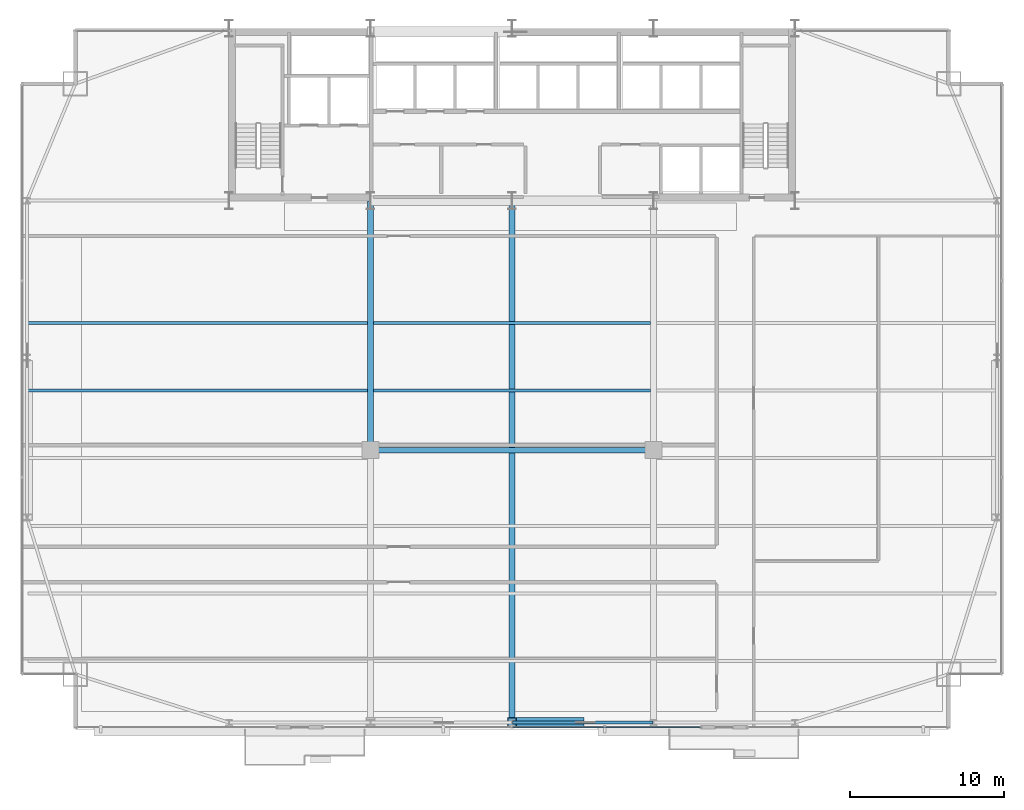
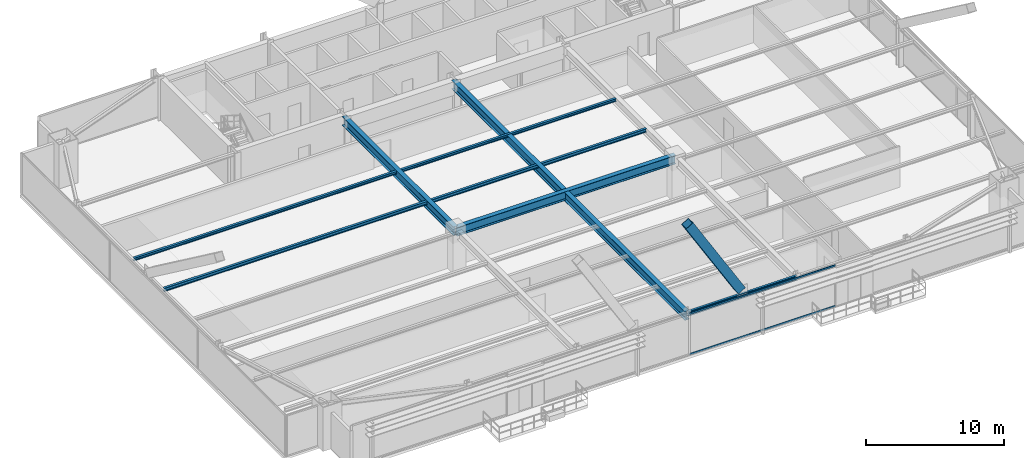
# One storey, part 11 of 34: 8 beams, 3 members, 1 element without a shape of its own.
"""IFC4 building model written with IfcOpenShell, lengths in metres."""

from ifc_helpers import new_model, si_unit, direction, frame, origin, origin_2d, place, context, subcontext, project, spatial, hollow_rectangle, i_section, extrude, source, transform, mapped, material, layer, layer_set, material_profile, profile_set, type_object, type_shapes, element, aggregate, save


model = new_model("IFC4")

# Units and contexts
model_context = context("Model", 3, precision=1e-05, world=origin(), true_north=direction((0.0, 1.0)))
body_context = subcontext(model_context, "Body", "Model", "MODEL_VIEW")
ifc_project = project(units=[si_unit("LENGTHUNIT", "METRE"), si_unit("AREAUNIT", "SQUARE_METRE"), si_unit("VOLUMEUNIT", "CUBIC_METRE"), si_unit("PLANEANGLEUNIT", "RADIAN"), si_unit("MASSUNIT", "GRAM", prefix="KILO")], contexts=[model_context])

# Site, building, storey
site_placement = place(None, origin())
site = spatial("IfcSite", under=ifc_project, at=site_placement, CompositionType="ELEMENT")
building_placement = place(site_placement, origin())
building = spatial("IfcBuilding", under=site, at=building_placement, Name="Varnel Quay Broadcast Tower", CompositionType="ELEMENT")
storey_placement = place(building_placement, frame((0.0, 0.0, 47.10009765625)))
storey = spatial("IfcBuildingStorey", under=building, at=storey_placement, Name="L10", CompositionType="ELEMENT", Elevation=47.10009765625)

# Beams
ifc_material_1 = material(Name="Structural Steel CSA G40.21 350W", Category="steel")
ifc_material_profile_1 = material_profile(ifc_material_1, i_section(OverallWidth=0.180908203125, OverallDepth=0.4169921875, WebThickness=0.010986328125, FlangeThickness=0.018310546875, FilletRadius=0.011962890625, at=origin_2d()), Name="W410X85")
ifc_profile_set_1 = profile_set([ifc_material_profile_1], Name="Structural Steel CSA G40.21 350W")
beam_type_1 = type_object("IfcBeamType", Name="Beam_W410X85", PredefinedType="SPANDREL", material=ifc_profile_set_1)
shared_shape_1 = source(origin(), body_context, "Body", "SweptSolid", [
    extrude(i_section(OverallWidth=0.180908203125, OverallDepth=0.4169921875, WebThickness=0.010986328125, FlangeThickness=0.018310546875, FilletRadius=0.011962890625, at=origin_2d()), origin(), (0.0, 0.0, 1.0), 9.159912109375),
])
type_shapes(beam_type_1, [shared_shape_1])
beam_1_placement = place(storey_placement, frame((34.02001953125, 1.64990234375, 3.44140625), z_axis=(1.0, 0.0, 0.0), x_axis=(0.0, 1.0, 0.0)))
element("IfcBeam", 1, at=beam_1_placement, inside=storey, type_object=beam_type_1, Name="L10 South Spandrel TC-S3-TC-S4", PredefinedType="SPANDREL", context=body_context, shape_type="MappedRepresentation", body=[
    mapped(shared_shape_1, transform((0.0, 0.0, 0.0), x_axis=(1.0, 0.0, 0.0), y_axis=(0.0, 1.0, 0.0), z_axis=(0.0, 0.0, 1.0), scale=1.0)),
])
ifc_material_profile_2 = material_profile(ifc_material_1, i_section(OverallWidth=0.381103515625, OverallDepth=0.77294921875, WebThickness=0.0166015625, FlangeThickness=0.027587890625, FilletRadius=0.01806640625, at=origin_2d()), Name="W760X257")
ifc_profile_set_2 = profile_set([ifc_material_profile_2], Name="Structural Steel CSA G40.21 350W")
beam_type_2 = type_object("IfcBeamType", Name="Girder_W760X257", PredefinedType="BEAM", material=ifc_profile_set_2)
shared_shape_2 = source(origin(), body_context, "Body", "SweptSolid", [
    extrude(i_section(OverallWidth=0.381103515625, OverallDepth=0.77294921875, WebThickness=0.0166015625, FlangeThickness=0.027587890625, FilletRadius=0.01806640625, at=origin_2d()), origin(), (0.0, 0.0, 1.0), 16.190185546875),
])
beam_2_placement = place(storey_placement, frame((24.800048828125, 19.389892578125, 3.263427734375), z_axis=(0.0, 1.0, 0.0), x_axis=(-1.0, 0.0, 0.0)))
element("IfcBeam", 2, at=beam_2_placement, inside=storey, type_object=beam_type_2, Name="L10 Primary Girder IC-01-CC-S2", PredefinedType="BEAM", context=body_context, shape_type="MappedRepresentation", body=[
    mapped(shared_shape_2, transform((0.0, 0.0, 0.0), x_axis=(1.0, 0.0, 0.0), y_axis=(0.0, 1.0, 0.0), z_axis=(0.0, 0.0, 1.0), scale=1.0)),
])
shared_shape_3 = source(origin(), body_context, "Body", "SweptSolid", [
    extrude(i_section(OverallWidth=0.381103515625, OverallDepth=0.77294921875, WebThickness=0.0166015625, FlangeThickness=0.027587890625, FilletRadius=0.01806640625, at=origin_2d()), origin(), (0.0, 0.0, 1.0), 18.35986328125),
])
beam_3_placement = place(storey_placement, frame((24.820068359375, 19.3701171875, 3.263427734375), z_axis=(1.0, 0.0, 0.0), x_axis=(0.0, 1.0, 0.0)))
element("IfcBeam", 3, at=beam_3_placement, inside=storey, type_object=beam_type_2, Name="L10 Interior Spine Girder", PredefinedType="BEAM", context=body_context, shape_type="MappedRepresentation", body=[
    mapped(shared_shape_3, transform((0.0, 0.0, 0.0), x_axis=(1.0, 0.0, 0.0), y_axis=(0.0, 1.0, 0.0), z_axis=(0.0, 0.0, 1.0), scale=1.0)),
])
shared_shape_4 = source(origin(), body_context, "Body", "SweptSolid", [
    extrude(i_section(OverallWidth=0.381103515625, OverallDepth=0.77294921875, WebThickness=0.0166015625, FlangeThickness=0.027587890625, FilletRadius=0.01806640625, at=origin_2d()), origin(), (0.0, 0.0, 1.0), 33.91015625),
])
type_shapes(beam_type_2, [shared_shape_2, shared_shape_3, shared_shape_4])
beam_4_placement = place(storey_placement, frame((34.0, 1.669921875, 3.263427734375), z_axis=(0.0, 1.0, 0.0), x_axis=(-1.0, 0.0, 0.0)))
element("IfcBeam", 4, at=beam_4_placement, inside=storey, type_object=beam_type_2, Name="L10 Central Bay Girder", PredefinedType="BEAM", context=body_context, shape_type="MappedRepresentation", body=[
    mapped(shared_shape_4, transform((0.0, 0.0, 0.0), x_axis=(1.0, 0.0, 0.0), y_axis=(0.0, 1.0, 0.0), z_axis=(0.0, 0.0, 1.0), scale=1.0)),
])
ifc_material_profile_3 = material_profile(ifc_material_1, i_section(OverallWidth=0.202880859375, OverallDepth=0.302978515625, WebThickness=0.007568359375, FlangeThickness=0.01318359375, FilletRadius=0.011962890625, at=origin_2d()), Name="W310X60")
ifc_profile_set_3 = profile_set([ifc_material_profile_3], Name="Structural Steel CSA G40.21 350W")
beam_type_3 = type_object("IfcBeamType", Name="Beam_W310X60", PredefinedType="JOIST", material=ifc_profile_set_3)
shared_shape_5 = source(origin(), body_context, "Body", "SweptSolid", [
    extrude(i_section(OverallWidth=0.202880859375, OverallDepth=0.302978515625, WebThickness=0.007568359375, FlangeThickness=0.01318359375, FilletRadius=0.011962890625, at=origin_2d()), origin(), (0.0, 0.0, 1.0), 22.0791015625),
])
beam_5_placement = place(storey_placement, frame((2.535400390625, 23.25, 3.498291015625), z_axis=(1.0, 0.0, 0.0), x_axis=(0.0, 1.0, 0.0)))
element("IfcBeam", 5, at=beam_5_placement, inside=storey, type_object=beam_type_3, Name="L10 West Floor Joist 5", PredefinedType="JOIST", context=body_context, shape_type="MappedRepresentation", body=[
    mapped(shared_shape_5, transform((0.0, 0.0, 0.0), x_axis=(1.0, 0.0, 0.0), y_axis=(0.0, 1.0, 0.0), z_axis=(0.0, 0.0, 1.0), scale=1.0)),
])
shared_shape_6 = source(origin(), body_context, "Body", "SweptSolid", [
    extrude(i_section(OverallWidth=0.202880859375, OverallDepth=0.302978515625, WebThickness=0.007568359375, FlangeThickness=0.01318359375, FilletRadius=0.011962890625, at=origin_2d()), origin(), (0.0, 0.0, 1.0), 18.02880859375),
])
type_shapes(beam_type_3, [shared_shape_5, shared_shape_6])
beam_6_placement = place(storey_placement, frame((24.985595703125, 23.25, 3.498291015625), z_axis=(1.0, 0.0, 0.0), x_axis=(0.0, 1.0, 0.0)))
element("IfcBeam", 6, at=beam_6_placement, inside=storey, type_object=beam_type_3, Name="L10 Central Floor Joist 5", PredefinedType="JOIST", context=body_context, shape_type="MappedRepresentation", body=[
    mapped(shared_shape_6, transform((0.0, 0.0, 0.0), x_axis=(1.0, 0.0, 0.0), y_axis=(0.0, 1.0, 0.0), z_axis=(0.0, 0.0, 1.0), scale=1.0)),
])
ifc_material_profile_4 = material_profile(ifc_material_1, i_section(OverallWidth=0.201904296875, OverallDepth=0.2470703125, WebThickness=0.00732421875, FlangeThickness=0.010986328125, FilletRadius=0.010986328125, at=origin_2d()), Name="W250X49")
ifc_profile_set_4 = profile_set([ifc_material_profile_4], Name="Structural Steel CSA G40.21 350W")
beam_type_4 = type_object("IfcBeamType", Name="Beam_W250X49", PredefinedType="JOIST", material=ifc_profile_set_4)
shared_shape_7 = source(origin(), body_context, "Body", "SweptSolid", [
    extrude(i_section(OverallWidth=0.201904296875, OverallDepth=0.2470703125, WebThickness=0.00732421875, FlangeThickness=0.010986328125, FilletRadius=0.010986328125, at=origin_2d()), origin(), (0.0, 0.0, 1.0), 22.0791015625),
])
beam_7_placement = place(storey_placement, frame((2.535400390625, 27.64990234375, 3.5263671875), z_axis=(1.0, 0.0, 0.0), x_axis=(0.0, 1.0, 0.0)))
element("IfcBeam", 7, at=beam_7_placement, inside=storey, type_object=beam_type_4, Name="L10 West Floor Joist 6", PredefinedType="JOIST", context=body_context, shape_type="MappedRepresentation", body=[
    mapped(shared_shape_7, transform((0.0, 0.0, 0.0), x_axis=(1.0, 0.0, 0.0), y_axis=(0.0, 1.0, 0.0), z_axis=(0.0, 0.0, 1.0), scale=1.0)),
])
shared_shape_8 = source(origin(), body_context, "Body", "SweptSolid", [
    extrude(i_section(OverallWidth=0.201904296875, OverallDepth=0.2470703125, WebThickness=0.00732421875, FlangeThickness=0.010986328125, FilletRadius=0.010986328125, at=origin_2d()), origin(), (0.0, 0.0, 1.0), 18.02880859375),
])
type_shapes(beam_type_4, [shared_shape_7, shared_shape_8])
beam_8_placement = place(storey_placement, frame((24.985595703125, 27.64990234375, 3.5263671875), z_axis=(1.0, 0.0, 0.0), x_axis=(0.0, 1.0, 0.0)))
element("IfcBeam", 8, at=beam_8_placement, inside=storey, type_object=beam_type_4, Name="L10 Central Floor Joist 6", PredefinedType="JOIST", context=body_context, shape_type="MappedRepresentation", body=[
    mapped(shared_shape_8, transform((0.0, 0.0, 0.0), x_axis=(1.0, 0.0, 0.0), y_axis=(0.0, 1.0, 0.0), z_axis=(0.0, 0.0, 1.0), scale=1.0)),
])

# Member
ifc_material_2 = material(Name="Structural Steel CSA G40.21 350WT", Category="steel")
ifc_material_profile_5 = material_profile(ifc_material_2, hollow_rectangle(XDim=0.699951171875, YDim=0.699951171875, WallThickness=0.031982421875, at=origin_2d()), Name="BOX700X700X32")
ifc_profile_set_5 = profile_set([ifc_material_profile_5], Name="Structural Steel CSA G40.21 350WT")
member_type_1 = type_object("IfcMemberType", Name="Brace_BOX700X700X32", PredefinedType="BRACE", material=ifc_profile_set_5)
shared_shape_9 = source(origin(), body_context, "Body", "SweptSolid", [
    extrude(hollow_rectangle(XDim=0.699951171875, YDim=0.699951171875, WallThickness=0.031982421875, at=origin_2d()), origin(), (0.0, 0.0, 1.0), 8.509521484375),
])
type_shapes(member_type_1, [shared_shape_9])
member_1_placement = place(storey_placement, frame((38.3828125, 1.64990234375, 4.135986328125), z_axis=(-0.51505258093, 0.0, 0.857158584439), x_axis=(0.0, -1.0, 0.0)))
element("IfcMember", 9, at=member_1_placement, inside=storey, type_object=member_type_1, Name="Zone 1 Mega-Brace S-C2T2 Split Diag B2", PredefinedType="BRACE", context=body_context, shape_type="MappedRepresentation", body=[
    mapped(shared_shape_9, transform((0.0, 0.0, 0.0), x_axis=(1.0, 0.0, 0.0), y_axis=(0.0, 1.0, 0.0), z_axis=(0.0, 0.0, 1.0), scale=1.0)),
])

# Curtain wall, members
ifc_material_3 = material(Name="Anodised Bronze Aluminium 6063-T6", Category="aluminium")
ifc_layer = layer(ifc_material_3, 0.18994140625, Name="Anodised Bronze Aluminium 6063-T6")
ifc_layer_set = layer_set([ifc_layer], Name="Anodised Bronze Aluminium 6063-T6")
curtain_wall_type = type_object("IfcCurtainWallType", Name="CW_LowerTower", PredefinedType="NOTDEFINED", material=ifc_layer_set)
curtain_wall_placement = place(storey_placement, origin())
curtain_wall = element("IfcCurtainWall", 10, at=curtain_wall_placement, inside=storey, type_object=curtain_wall_type, Name="L10 South Unitised Curtain Wall 2", PredefinedType="NOTDEFINED")
ifc_material_profile_6 = material_profile(ifc_material_3, hollow_rectangle(XDim=0.06005859375, YDim=0.14501953125, WallThickness=0.00341796875, at=origin_2d()), Name="ALU60X145X3.5")
ifc_profile_set_6 = profile_set([ifc_material_profile_6], Name="Anodised Bronze Aluminium 6063-T6")
member_type_2 = type_object("IfcMemberType", Name="Tran_CWS-02", PredefinedType="USERDEFINED", material=ifc_profile_set_6)
shared_shape_10 = source(origin(), body_context, "Body", "SweptSolid", [
    extrude(hollow_rectangle(XDim=0.06005859375, YDim=0.14501953125, WallThickness=0.00341796875, at=origin_2d()), origin(), (0.0, 0.0, 1.0), 12.215087890625),
])
type_shapes(member_type_2, [shared_shape_10])
member_2_placement = place(storey_placement, frame((34.034912109375, 1.35009765625, 0.02978515625), z_axis=(1.0, 0.0, 0.0), x_axis=(0.0, 1.0, 0.0)))
member_2 = element("IfcMember", 11, at=member_2_placement, type_object=member_type_2, Name="CWS-02 transom 2.1", ObjectType="TRANSOM", PredefinedType="USERDEFINED", context=body_context, shape_type="MappedRepresentation", body=[
    mapped(shared_shape_10, transform((0.0, 0.0, 0.0), x_axis=(1.0, 0.0, 0.0), y_axis=(0.0, 1.0, 0.0), z_axis=(0.0, 0.0, 1.0), scale=1.0)),
])
member_3_placement = place(storey_placement, frame((34.034912109375, 1.35009765625, 3.619873046875), z_axis=(1.0, 0.0, 0.0), x_axis=(0.0, 1.0, 0.0)))
member_3 = element("IfcMember", 12, at=member_3_placement, type_object=member_type_2, Name="CWS-02 transom 2.2", ObjectType="TRANSOM", PredefinedType="USERDEFINED", context=body_context, shape_type="MappedRepresentation", body=[
    mapped(shared_shape_10, transform((0.0, 0.0, 0.0), x_axis=(1.0, 0.0, 0.0), y_axis=(0.0, 1.0, 0.0), z_axis=(0.0, 0.0, 1.0), scale=1.0)),
])
aggregate(curtain_wall, [member_2, member_3])

save(model, "model.ifc")
